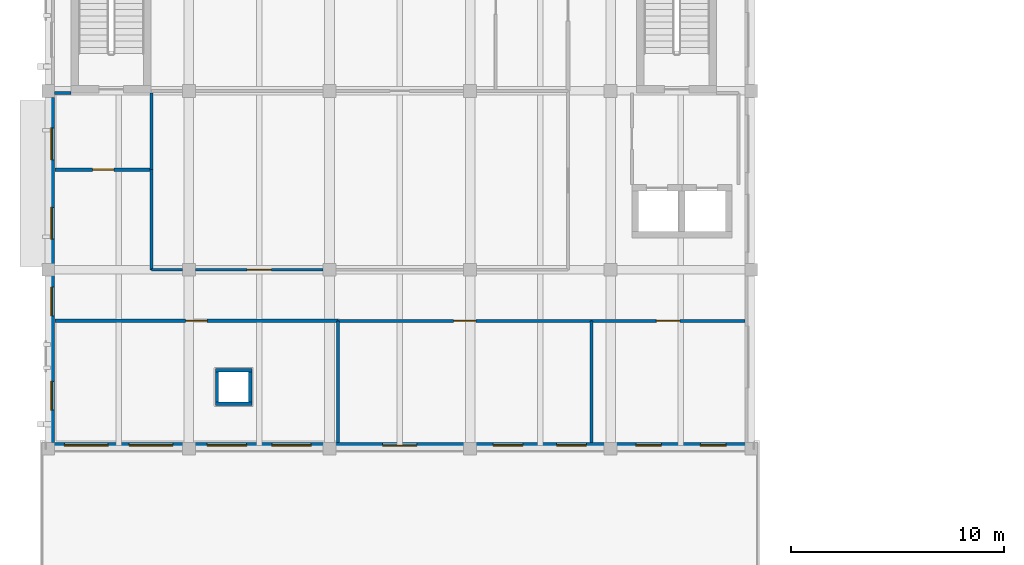
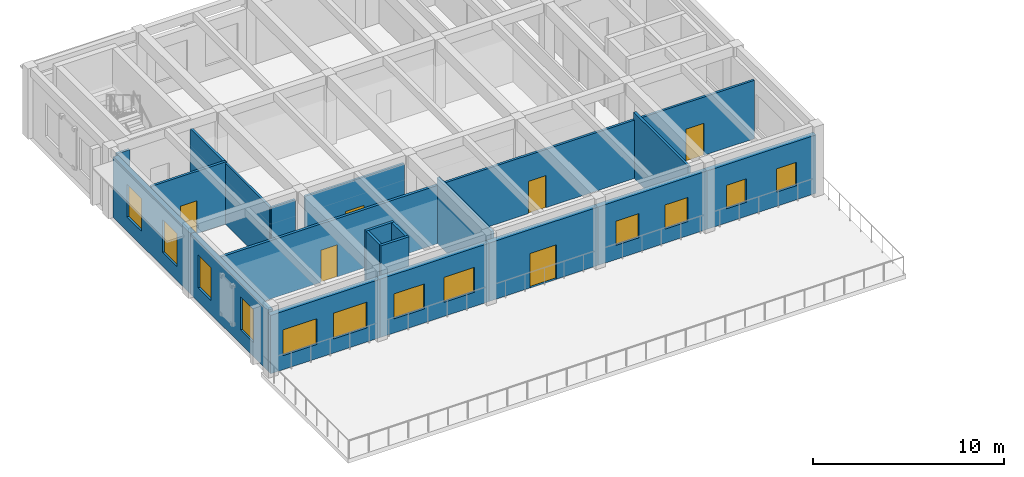
# One storey, part 6 of 25: 22 walls, 12 windows, 6 doors, 18 openings.
"""IFC4 building model written with IfcOpenShell, lengths in metres."""

from ifc_helpers import new_model, si_unit, direction, frame, frame_2d, origin, place, context, subcontext, project, spatial, rectangle, extrude, material, layer, layer_set, type_object, element, fill, save


model = new_model("IFC4")

# Units and contexts
model_context = context("Model", 3, precision=1e-05, world=origin(), true_north=direction((0.0, 1.0)))
body_context = subcontext(model_context, "Body", "Model", "MODEL_VIEW")
ifc_project = project(units=[si_unit("LENGTHUNIT", "METRE"), si_unit("AREAUNIT", "SQUARE_METRE"), si_unit("VOLUMEUNIT", "CUBIC_METRE"), si_unit("PLANEANGLEUNIT", "RADIAN"), si_unit("MASSUNIT", "GRAM", prefix="KILO")], contexts=[model_context])

# Site, building, storey
site_placement = place(None, origin())
site = spatial("IfcSite", under=ifc_project, at=site_placement, CompositionType="ELEMENT")
building_placement = place(site_placement, origin())
building = spatial("IfcBuilding", under=site, at=building_placement, Name="Kolvaren Faculty of Natural Sciences", CompositionType="ELEMENT")
storey_placement = place(building_placement, frame((0.0, 0.0, 19.5)))
storey = spatial("IfcBuildingStorey", under=building, at=storey_placement, Name="L04", CompositionType="ELEMENT", Elevation=19.5)

# Wall, opening, door
ifc_material_1 = material(Name="Acoustic mineral-wool insulated gypsum partition")
ifc_layer_1 = layer(ifc_material_1, 0.159912109375)
ifc_layer_set_1 = layer_set([ifc_layer_1], Name="Acoustic mineral-wool insulated gypsum partition")
wall_type_1 = type_object("IfcWallType", Name="ClassroomPartitionWall_160", PredefinedType="PARTITIONING", material=ifc_layer_set_1)
wall_1_placement = place(storey_placement, frame((7.10205078125, 23.0, 0.0), z_axis=(0.0, 0.0, 1.0), x_axis=(1.0, 0.0, 0.0)))
wall_1 = element("IfcWall", 1, at=wall_1_placement, inside=storey, type_object=wall_type_1, Name="L04 interior partition PW-160", PredefinedType="PARTITIONING", context=body_context, shape_type="SweptSolid", body=[
    extrude(rectangle(XDim=13.2978515625, YDim=0.159912109375, at=frame_2d((6.64892578125, 0.0))), origin(), (0.0, 0.0, 1.0), 3.735107421875),
])
opening_1_placement = place(wall_1_placement, frame((6.14892578125, 0.0, 0.0)))
opening_1 = element("IfcOpeningElement", 2, at=opening_1_placement, cuts=wall_1, Name="Opening ID-08", PredefinedType="OPENING", context=body_context, shape_type="SweptSolid", body=[
    extrude(rectangle(XDim=1.0, YDim=2.06005859375, at=frame_2d((0.5, 1.030029296875))), frame((0.0, 0.08984375, 0.0), z_axis=(0.0, -1.0, 0.0), x_axis=(1.0, 0.0, 0.0)), (0.0, 0.0, 1.0), 0.179931640625),
])
ifc_material_2 = material(Name="Solid-core hardwood veneer door leaf in steel frame", Category="steel")
door_type_1 = type_object("IfcDoorType", Name="InteriorRoomDoor_1000x2060", OperationType="NOTDEFINED", PredefinedType="DOOR", material=ifc_material_2)
door_1_placement = place(opening_1_placement, origin())
door_1 = element("IfcDoor", 3, at=door_1_placement, inside=storey, type_object=door_type_1, Name="D-L04-0272", OperationType="SINGLE_SWING_LEFT", OverallHeight=2.06005859375, OverallWidth=1.0, PredefinedType="DOOR", context=body_context, shape_type="SweptSolid", body=[
    extrude(rectangle(XDim=1.0, YDim=2.06005859375, at=frame_2d((0.5, 1.030029296875))), frame((0.0, 0.02490234375, 0.0), z_axis=(0.0, -1.0, 0.0), x_axis=(1.0, 0.0, 0.0)), (0.0, 0.0, 1.0), 0.050048828125),
])
fill(opening_1, door_1)

# Wall
wall_2_placement = place(storey_placement, frame((20.39990234375, 23.0, 0.0), z_axis=(0.0, 0.0, 1.0), x_axis=(0.0, -1.0, 0.0)))
element("IfcWall", 4, at=wall_2_placement, inside=storey, type_object=wall_type_1, Name="L04 interior partition PW-160", PredefinedType="PARTITIONING", context=body_context, shape_type="SweptSolid", body=[
    extrude(rectangle(XDim=5.697998046875, YDim=0.159912109375, at=frame_2d((2.84912109375, 0.0))), origin(), (0.0, 0.0, 1.0), 4.195068359375),
])

# Wall, opening, door
ifc_layer_2 = layer(ifc_material_1, 0.139892578125)
ifc_layer_set_2 = layer_set([ifc_layer_2], Name="Acoustic mineral-wool insulated gypsum partition")
wall_type_2 = type_object("IfcWallType", Name="CommonsPartitionWall_140", PredefinedType="PARTITIONING", material=ifc_layer_set_2)
wall_3_placement = place(storey_placement, frame((32.300048828125, 23.0, 0.0), z_axis=(0.0, 0.0, 1.0), x_axis=(1.0, 0.0, 0.0)))
wall_3 = element("IfcWall", 5, at=wall_3_placement, inside=storey, type_object=wall_type_2, Name="L04 interior partition PW-140", PredefinedType="PARTITIONING", context=body_context, shape_type="SweptSolid", body=[
    extrude(rectangle(XDim=7.197998046875, YDim=0.139892578125, at=frame_2d((3.59912109375, 0.0))), origin(), (0.0, 0.0, 1.0), 3.735107421875),
])
opening_2_placement = place(wall_3_placement, frame((3.049072265625, 0.0, 0.0)))
opening_2 = element("IfcOpeningElement", 6, at=opening_2_placement, cuts=wall_3, Name="Opening ID-10", PredefinedType="OPENING", context=body_context, shape_type="SweptSolid", body=[
    extrude(rectangle(XDim=1.10009765625, YDim=2.06005859375, at=frame_2d((0.550048828125, 1.030029296875))), frame((0.0, 0.079833984375, 0.0), z_axis=(0.0, -1.0, 0.0), x_axis=(1.0, 0.0, 0.0)), (0.0, 0.0, 1.0), 0.159912109375),
])
door_type_2 = type_object("IfcDoorType", Name="InteriorRoomDoor_1100x2060", OperationType="NOTDEFINED", PredefinedType="DOOR", material=ifc_material_2)
door_2_placement = place(opening_2_placement, origin())
door_2 = element("IfcDoor", 7, at=door_2_placement, inside=storey, type_object=door_type_2, Name="D-L04-0274", OperationType="SINGLE_SWING_LEFT", OverallHeight=2.06005859375, OverallWidth=1.10009765625, PredefinedType="DOOR", context=body_context, shape_type="SweptSolid", body=[
    extrude(rectangle(XDim=1.10009765625, YDim=2.06005859375, at=frame_2d((0.550048828125, 1.030029296875))), frame((0.0, 0.02490234375, 0.0), z_axis=(0.0, -1.0, 0.0), x_axis=(1.0, 0.0, 0.0)), (0.0, 0.0, 1.0), 0.050048828125),
])
fill(opening_2, door_2)

# Wall
ifc_layer_3 = layer(ifc_material_1, 0.14501953125)
ifc_layer_set_3 = layer_set([ifc_layer_3], Name="Acoustic mineral-wool insulated gypsum partition")
wall_type_3 = type_object("IfcWallType", Name="CommonsPartitionWall_145", PredefinedType="PARTITIONING", material=ifc_layer_set_3)
wall_4_placement = place(storey_placement, frame((32.300048828125, 23.0, 0.0), z_axis=(0.0, 0.0, 1.0), x_axis=(0.0, -1.0, 0.0)))
element("IfcWall", 8, at=wall_4_placement, inside=storey, type_object=wall_type_3, Name="L04 interior partition PW-145", PredefinedType="PARTITIONING", context=body_context, shape_type="SweptSolid", body=[
    extrude(rectangle(XDim=5.697998046875, YDim=0.14501953125, at=frame_2d((2.84912109375, 0.0))), origin(), (0.0, 0.0, 1.0), 4.195068359375),
])

# Wall, opening, door
wall_5_placement = place(storey_placement, frame((20.39990234375, 23.0, 0.0), z_axis=(0.0, 0.0, 1.0), x_axis=(1.0, 0.0, 0.0)))
wall_5 = element("IfcWall", 9, at=wall_5_placement, inside=storey, type_object=wall_type_3, Name="L04 interior partition PW-145", PredefinedType="PARTITIONING", context=body_context, shape_type="SweptSolid", body=[
    extrude(rectangle(XDim=11.900146484375, YDim=0.14501953125, at=frame_2d((5.9501953125, 0.0))), origin(), (0.0, 0.0, 1.0), 3.735107421875),
])
opening_3_placement = place(wall_5_placement, frame((5.425048828125, 0.0, 0.0)))
opening_3 = element("IfcOpeningElement", 10, at=opening_3_placement, cuts=wall_5, Name="Opening ID-09", PredefinedType="OPENING", context=body_context, shape_type="SweptSolid", body=[
    extrude(rectangle(XDim=1.050048828125, YDim=2.06005859375, at=frame_2d((0.52490234375, 1.030029296875))), frame((0.0, 0.08251953125, 0.0), z_axis=(0.0, -1.0, 0.0), x_axis=(1.0, 0.0, 0.0)), (0.0, 0.0, 1.0), 0.1650390625),
])
door_type_3 = type_object("IfcDoorType", Name="InteriorRoomDoor_1050x2060", OperationType="NOTDEFINED", PredefinedType="DOOR", material=ifc_material_2)
door_3_placement = place(opening_3_placement, origin())
door_3 = element("IfcDoor", 11, at=door_3_placement, inside=storey, type_object=door_type_3, Name="D-L04-0273", OperationType="SINGLE_SWING_RIGHT", OverallHeight=2.06005859375, OverallWidth=1.050048828125, PredefinedType="DOOR", context=body_context, shape_type="SweptSolid", body=[
    extrude(rectangle(XDim=1.050048828125, YDim=2.06005859375, at=frame_2d((0.52490234375, 1.030029296875))), frame((0.0, 0.02490234375, 0.0), z_axis=(0.0, -1.0, 0.0), x_axis=(1.0, 0.0, 0.0)), (0.0, 0.0, 1.0), 0.050048828125),
])
fill(opening_3, door_3)

# Wall, openings, windows
ifc_material_3 = material(Name="Sandstone-faced insulated cavity masonry", Category="masonry")
ifc_layer_4 = layer(ifc_material_3, 0.300048828125)
ifc_layer_set_4 = layer_set([ifc_layer_4], Name="Sandstone-faced insulated cavity masonry")
wall_type_4 = type_object("IfcWallType", Name="ExteriorCavityWall_300", PredefinedType="STANDARD", material=ifc_layer_set_4)
wall_6_placement = place(storey_placement, frame((6.949951171875, 17.300048828125, 0.0), z_axis=(0.0, 0.0, 1.0), x_axis=(0.0, 1.0, 0.0)))
wall_6 = element("IfcWall", 12, at=wall_6_placement, inside=storey, type_object=wall_type_4, Name="L04 exterior masonry wall EW-300 (580)", PredefinedType="STANDARD", context=body_context, shape_type="SweptSolid", body=[
    extrude(rectangle(XDim=8.099853515625, YDim=0.300048828125, at=frame_2d((4.0498046875, 0.0))), origin(), (0.0, 0.0, 1.0), 3.885009765625),
])
opening_4_placement = place(wall_6_placement, frame((1.511962890625, 0.0, 0.89990234375)))
opening_4 = element("IfcOpeningElement", 13, at=opening_4_placement, cuts=wall_6, Name="Opening WIN-02", PredefinedType="OPENING", context=body_context, shape_type="SweptSolid", body=[
    extrude(rectangle(XDim=1.35009765625, YDim=2.10009765625, at=frame_2d((0.675048828125, 1.050048828125))), frame((0.0, 0.159912109375, 0.0), z_axis=(0.0, -1.0, 0.0), x_axis=(1.0, 0.0, 0.0)), (0.0, 0.0, 1.0), 0.320068359375),
])
opening_5_placement = place(wall_6_placement, frame((5.93994140625, 0.0, 0.89990234375)))
opening_5 = element("IfcOpeningElement", 14, at=opening_5_placement, cuts=wall_6, Name="Opening WIN-02", PredefinedType="OPENING", context=body_context, shape_type="SweptSolid", body=[
    extrude(rectangle(XDim=1.35009765625, YDim=2.10009765625, at=frame_2d((0.675048828125, 1.050048828125))), frame((0.0, 0.159912109375, 0.0), z_axis=(0.0, -1.0, 0.0), x_axis=(1.0, 0.0, 0.0)), (0.0, 0.0, 1.0), 0.320068359375),
])
ifc_material_4 = material(Name="Double low-E solar control insulated glazing", Category="glass")
window_type_1 = type_object("IfcWindowType", Name="AluWindow_WIN02_1350x2100", PartitioningType="SINGLE_PANEL", PredefinedType="WINDOW", material=ifc_material_4)
window_1_placement = place(opening_4_placement, origin())
window_1 = element("IfcWindow", 15, at=window_1_placement, inside=storey, type_object=window_type_1, Name="WIN-L04-0354", OverallHeight=2.10009765625, OverallWidth=1.35009765625, PartitioningType="SINGLE_PANEL", PredefinedType="WINDOW", context=body_context, shape_type="SweptSolid", body=[
    extrude(rectangle(XDim=1.35009765625, YDim=2.10009765625, at=frame_2d((0.675048828125, 1.050048828125))), frame((0.0, 0.030029296875, 0.0), z_axis=(0.0, -1.0, 0.0), x_axis=(1.0, 0.0, 0.0)), (0.0, 0.0, 1.0), 0.06005859375),
])
fill(opening_4, window_1)
window_2_placement = place(opening_5_placement, origin())
window_2 = element("IfcWindow", 16, at=window_2_placement, inside=storey, type_object=window_type_1, Name="WIN-L04-0355", OverallHeight=2.10009765625, OverallWidth=1.35009765625, PartitioningType="SINGLE_PANEL", PredefinedType="WINDOW", context=body_context, shape_type="SweptSolid", body=[
    extrude(rectangle(XDim=1.35009765625, YDim=2.10009765625, at=frame_2d((0.675048828125, 1.050048828125))), frame((0.0, 0.030029296875, 0.0), z_axis=(0.0, -1.0, 0.0), x_axis=(1.0, 0.0, 0.0)), (0.0, 0.0, 1.0), 0.06005859375),
])
fill(opening_5, window_2)

wall_7_placement = place(storey_placement, frame((6.949951171875, 25.39990234375, 0.0), z_axis=(0.0, 0.0, 1.0), x_axis=(0.0, 1.0, 0.0)))
wall_7 = element("IfcWall", 17, at=wall_7_placement, inside=storey, type_object=wall_type_4, Name="L04 exterior masonry wall EW-300 (581)", PredefinedType="STANDARD", context=body_context, shape_type="SweptSolid", body=[
    extrude(rectangle(XDim=8.10009765625, YDim=0.300048828125, at=frame_2d((4.050048828125, 0.0))), origin(), (0.0, 0.0, 1.0), 3.885009765625),
])
opening_6_placement = place(wall_7_placement, frame((1.43701171875, 0.0, 0.89990234375)))
opening_6 = element("IfcOpeningElement", 18, at=opening_6_placement, cuts=wall_7, Name="Opening WIN-03", PredefinedType="OPENING", context=body_context, shape_type="SweptSolid", body=[
    extrude(rectangle(XDim=1.5, YDim=2.10009765625, at=frame_2d((0.75, 1.050048828125))), frame((0.0, 0.159912109375, 0.0), z_axis=(0.0, -1.0, 0.0), x_axis=(1.0, 0.0, 0.0)), (0.0, 0.0, 1.0), 0.320068359375),
])
opening_7_placement = place(wall_7_placement, frame((5.1630859375, 0.0, 0.89990234375)))
opening_7 = element("IfcOpeningElement", 19, at=opening_7_placement, cuts=wall_7, Name="Opening WIN-03", PredefinedType="OPENING", context=body_context, shape_type="SweptSolid", body=[
    extrude(rectangle(XDim=1.5, YDim=2.10009765625, at=frame_2d((0.75, 1.050048828125))), frame((0.0, 0.159912109375, 0.0), z_axis=(0.0, -1.0, 0.0), x_axis=(1.0, 0.0, 0.0)), (0.0, 0.0, 1.0), 0.320068359375),
])
window_type_2 = type_object("IfcWindowType", Name="AluWindow_WIN03_1500x2100", PartitioningType="SINGLE_PANEL", PredefinedType="WINDOW", material=ifc_material_4)
window_3_placement = place(opening_6_placement, origin())
window_3 = element("IfcWindow", 20, at=window_3_placement, inside=storey, type_object=window_type_2, Name="WIN-L04-0356", OverallHeight=2.10009765625, OverallWidth=1.5, PartitioningType="SINGLE_PANEL", PredefinedType="WINDOW", context=body_context, shape_type="SweptSolid", body=[
    extrude(rectangle(XDim=1.5, YDim=2.10009765625, at=frame_2d((0.75, 1.050048828125))), frame((0.0, 0.030029296875, 0.0), z_axis=(0.0, -1.0, 0.0), x_axis=(1.0, 0.0, 0.0)), (0.0, 0.0, 1.0), 0.06005859375),
])
fill(opening_6, window_3)
window_4_placement = place(opening_7_placement, origin())
window_4 = element("IfcWindow", 21, at=window_4_placement, inside=storey, type_object=window_type_2, Name="WIN-L04-0357", OverallHeight=2.10009765625, OverallWidth=1.5, PartitioningType="SINGLE_PANEL", PredefinedType="WINDOW", context=body_context, shape_type="SweptSolid", body=[
    extrude(rectangle(XDim=1.5, YDim=2.10009765625, at=frame_2d((0.75, 1.050048828125))), frame((0.0, 0.030029296875, 0.0), z_axis=(0.0, -1.0, 0.0), x_axis=(1.0, 0.0, 0.0)), (0.0, 0.0, 1.0), 0.06005859375),
])
fill(opening_7, window_4)

wall_8_placement = place(storey_placement, frame((39.800048828125, 17.14990234375, 0.0), z_axis=(0.0, 0.0, 1.0), x_axis=(-1.0, 0.0, 0.0)))
wall_8 = element("IfcWall", 22, at=wall_8_placement, inside=storey, type_object=wall_type_4, Name="L04 exterior masonry wall EW-300 (591)", PredefinedType="STANDARD", context=body_context, shape_type="SweptSolid", body=[
    extrude(rectangle(XDim=6.60009765625, YDim=0.300048828125, at=frame_2d((3.300048828125, 0.0))), origin(), (0.0, 0.0, 1.0), 3.735107421875),
])
opening_8_placement = place(wall_8_placement, frame((1.181884765625, 0.0, 0.89990234375)))
opening_8 = element("IfcOpeningElement", 23, at=opening_8_placement, cuts=wall_8, Name="Opening WIN-13", PredefinedType="OPENING", context=body_context, shape_type="SweptSolid", body=[
    extrude(rectangle(XDim=1.199951171875, YDim=1.5, at=frame_2d((0.60009765625, 0.75))), frame((0.0, 0.159912109375, 0.0), z_axis=(0.0, -1.0, 0.0), x_axis=(1.0, 0.0, 0.0)), (0.0, 0.0, 1.0), 0.320068359375),
])
opening_9_placement = place(wall_8_placement, frame((4.218017578125, 0.0, 0.89990234375)))
opening_9 = element("IfcOpeningElement", 24, at=opening_9_placement, cuts=wall_8, Name="Opening WIN-13", PredefinedType="OPENING", context=body_context, shape_type="SweptSolid", body=[
    extrude(rectangle(XDim=1.199951171875, YDim=1.5, at=frame_2d((0.60009765625, 0.75))), frame((0.0, 0.159912109375, 0.0), z_axis=(0.0, -1.0, 0.0), x_axis=(1.0, 0.0, 0.0)), (0.0, 0.0, 1.0), 0.320068359375),
])
window_type_3 = type_object("IfcWindowType", Name="AluWindow_WIN13_1200x1500", PartitioningType="SINGLE_PANEL", PredefinedType="WINDOW", material=ifc_material_4)
window_5_placement = place(opening_8_placement, origin())
window_5 = element("IfcWindow", 25, at=window_5_placement, inside=storey, type_object=window_type_3, Name="WIN-L04-0371", OverallHeight=1.5, OverallWidth=1.199951171875, PartitioningType="SINGLE_PANEL", PredefinedType="WINDOW", context=body_context, shape_type="SweptSolid", body=[
    extrude(rectangle(XDim=1.199951171875, YDim=1.5, at=frame_2d((0.60009765625, 0.75))), frame((0.0, 0.030029296875, 0.0), z_axis=(0.0, -1.0, 0.0), x_axis=(1.0, 0.0, 0.0)), (0.0, 0.0, 1.0), 0.06005859375),
])
fill(opening_8, window_5)
window_6_placement = place(opening_9_placement, origin())
window_6 = element("IfcWindow", 26, at=window_6_placement, inside=storey, type_object=window_type_3, Name="WIN-L04-0372", OverallHeight=1.5, OverallWidth=1.199951171875, PartitioningType="SINGLE_PANEL", PredefinedType="WINDOW", context=body_context, shape_type="SweptSolid", body=[
    extrude(rectangle(XDim=1.199951171875, YDim=1.5, at=frame_2d((0.60009765625, 0.75))), frame((0.0, 0.030029296875, 0.0), z_axis=(0.0, -1.0, 0.0), x_axis=(1.0, 0.0, 0.0)), (0.0, 0.0, 1.0), 0.06005859375),
])
fill(opening_9, window_6)

wall_9_placement = place(storey_placement, frame((33.199951171875, 17.14990234375, 0.0), z_axis=(0.0, 0.0, 1.0), x_axis=(-1.0, 0.0, 0.0)))
wall_9 = element("IfcWall", 27, at=wall_9_placement, inside=storey, type_object=wall_type_4, Name="L04 exterior masonry wall EW-300 (592)", PredefinedType="STANDARD", context=body_context, shape_type="SweptSolid", body=[
    extrude(rectangle(XDim=6.599853515625, YDim=0.300048828125, at=frame_2d((3.2998046875, 0.0))), origin(), (0.0, 0.0, 1.0), 3.735107421875),
])
opening_10_placement = place(wall_9_placement, frame((1.139892578125, 0.0, 0.89990234375)))
opening_10 = element("IfcOpeningElement", 28, at=opening_10_placement, cuts=wall_9, Name="Opening WIN-14", PredefinedType="OPENING", context=body_context, shape_type="SweptSolid", body=[
    extrude(rectangle(XDim=1.39990234375, YDim=1.550048828125, at=frame_2d((0.699951171875, 0.77490234375))), frame((0.0, 0.159912109375, 0.0), z_axis=(0.0, -1.0, 0.0), x_axis=(1.0, 0.0, 0.0)), (0.0, 0.0, 1.0), 0.320068359375),
])
opening_11_placement = place(wall_9_placement, frame((4.117919921875, 0.0, 0.89990234375)))
opening_11 = element("IfcOpeningElement", 29, at=opening_11_placement, cuts=wall_9, Name="Opening WIN-14", PredefinedType="OPENING", context=body_context, shape_type="SweptSolid", body=[
    extrude(rectangle(XDim=1.39990234375, YDim=1.550048828125, at=frame_2d((0.699951171875, 0.77490234375))), frame((0.0, 0.159912109375, 0.0), z_axis=(0.0, -1.0, 0.0), x_axis=(1.0, 0.0, 0.0)), (0.0, 0.0, 1.0), 0.320068359375),
])
window_type_4 = type_object("IfcWindowType", Name="AluWindow_WIN14_1400x1550", PartitioningType="SINGLE_PANEL", PredefinedType="WINDOW", material=ifc_material_4)
window_7_placement = place(opening_10_placement, origin())
window_7 = element("IfcWindow", 30, at=window_7_placement, inside=storey, type_object=window_type_4, Name="WIN-L04-0373", OverallHeight=1.550048828125, OverallWidth=1.39990234375, PartitioningType="SINGLE_PANEL", PredefinedType="WINDOW", context=body_context, shape_type="SweptSolid", body=[
    extrude(rectangle(XDim=1.39990234375, YDim=1.550048828125, at=frame_2d((0.699951171875, 0.77490234375))), frame((0.0, 0.030029296875, 0.0), z_axis=(0.0, -1.0, 0.0), x_axis=(1.0, 0.0, 0.0)), (0.0, 0.0, 1.0), 0.06005859375),
])
fill(opening_10, window_7)
window_8_placement = place(opening_11_placement, origin())
window_8 = element("IfcWindow", 31, at=window_8_placement, inside=storey, type_object=window_type_4, Name="WIN-L04-0374", OverallHeight=1.550048828125, OverallWidth=1.39990234375, PartitioningType="SINGLE_PANEL", PredefinedType="WINDOW", context=body_context, shape_type="SweptSolid", body=[
    extrude(rectangle(XDim=1.39990234375, YDim=1.550048828125, at=frame_2d((0.699951171875, 0.77490234375))), frame((0.0, 0.030029296875, 0.0), z_axis=(0.0, -1.0, 0.0), x_axis=(1.0, 0.0, 0.0)), (0.0, 0.0, 1.0), 0.06005859375),
])
fill(opening_11, window_8)

# Wall, opening, door
wall_10_placement = place(storey_placement, frame((26.60009765625, 17.14990234375, 0.0), z_axis=(0.0, 0.0, 1.0), x_axis=(-1.0, 0.0, 0.0)))
wall_10 = element("IfcWall", 32, at=wall_10_placement, inside=storey, type_object=wall_type_4, Name="L04 exterior masonry wall EW-300 (593)", PredefinedType="STANDARD", context=body_context, shape_type="SweptSolid", body=[
    extrude(rectangle(XDim=6.60009765625, YDim=0.300048828125, at=frame_2d((3.300048828125, 0.0))), origin(), (0.0, 0.0, 1.0), 3.735107421875),
])
opening_12_placement = place(wall_10_placement, frame((2.5, 0.0, 0.0)))
opening_12 = element("IfcOpeningElement", 33, at=opening_12_placement, cuts=wall_10, Name="Opening TD-02", PredefinedType="OPENING", context=body_context, shape_type="SweptSolid", body=[
    extrude(rectangle(XDim=1.60009765625, YDim=2.199951171875, at=frame_2d((0.800048828125, 1.10009765625))), frame((0.0, 0.159912109375, 0.0), z_axis=(0.0, -1.0, 0.0), x_axis=(1.0, 0.0, 0.0)), (0.0, 0.0, 1.0), 0.320068359375),
])
ifc_material_5 = material(Name="Thermally broken anodised aluminium framing", Category="aluminium")
door_type_4 = type_object("IfcDoorType", Name="TerraceDoubleDoor_1600x2200", OperationType="DOUBLE_DOOR_SINGLE_SWING", PredefinedType="DOOR", material=ifc_material_5)
door_4_placement = place(opening_12_placement, origin())
door_4 = element("IfcDoor", 34, at=door_4_placement, inside=storey, type_object=door_type_4, Name="D-L04-TR-26", OperationType="DOUBLE_DOOR_SINGLE_SWING", OverallHeight=2.199951171875, OverallWidth=1.60009765625, PredefinedType="DOOR", context=body_context, shape_type="SweptSolid", body=[
    extrude(rectangle(XDim=1.60009765625, YDim=2.199951171875, at=frame_2d((0.800048828125, 1.10009765625))), frame((0.0, 0.02490234375, 0.0), z_axis=(0.0, -1.0, 0.0), x_axis=(1.0, 0.0, 0.0)), (0.0, 0.0, 1.0), 0.050048828125),
])
fill(opening_12, door_4)

# Wall, openings, windows
wall_11_placement = place(storey_placement, frame((20.0, 17.14990234375, 0.0), z_axis=(0.0, 0.0, 1.0), x_axis=(-1.0, 0.0, 0.0)))
wall_11 = element("IfcWall", 35, at=wall_11_placement, inside=storey, type_object=wall_type_4, Name="L04 exterior masonry wall EW-300 (594)", PredefinedType="STANDARD", context=body_context, shape_type="SweptSolid", body=[
    extrude(rectangle(XDim=6.60009765625, YDim=0.300048828125, at=frame_2d((3.300048828125, 0.0))), origin(), (0.0, 0.0, 1.0), 3.735107421875),
])
opening_13_placement = place(wall_11_placement, frame((0.85693359375, 0.0, 0.89990234375)))
opening_13 = element("IfcOpeningElement", 36, at=opening_13_placement, cuts=wall_11, Name="Opening WIN-16", PredefinedType="OPENING", context=body_context, shape_type="SweptSolid", body=[
    extrude(rectangle(XDim=1.85009765625, YDim=1.60009765625, at=frame_2d((0.925048828125, 0.800048828125))), frame((0.0, 0.159912109375, 0.0), z_axis=(0.0, -1.0, 0.0), x_axis=(1.0, 0.0, 0.0)), (0.0, 0.0, 1.0), 0.320068359375),
])
opening_14_placement = place(wall_11_placement, frame((3.89306640625, 0.0, 0.89990234375)))
opening_14 = element("IfcOpeningElement", 37, at=opening_14_placement, cuts=wall_11, Name="Opening WIN-16", PredefinedType="OPENING", context=body_context, shape_type="SweptSolid", body=[
    extrude(rectangle(XDim=1.85009765625, YDim=1.60009765625, at=frame_2d((0.925048828125, 0.800048828125))), frame((0.0, 0.159912109375, 0.0), z_axis=(0.0, -1.0, 0.0), x_axis=(1.0, 0.0, 0.0)), (0.0, 0.0, 1.0), 0.320068359375),
])
window_type_5 = type_object("IfcWindowType", Name="AluWindow_WIN16_1850x1600", PartitioningType="SINGLE_PANEL", PredefinedType="WINDOW", material=ifc_material_4)
window_9_placement = place(opening_13_placement, origin())
window_9 = element("IfcWindow", 38, at=window_9_placement, inside=storey, type_object=window_type_5, Name="WIN-L04-0375", OverallHeight=1.60009765625, OverallWidth=1.85009765625, PartitioningType="SINGLE_PANEL", PredefinedType="WINDOW", context=body_context, shape_type="SweptSolid", body=[
    extrude(rectangle(XDim=1.85009765625, YDim=1.60009765625, at=frame_2d((0.925048828125, 0.800048828125))), frame((0.0, 0.030029296875, 0.0), z_axis=(0.0, -1.0, 0.0), x_axis=(1.0, 0.0, 0.0)), (0.0, 0.0, 1.0), 0.06005859375),
])
fill(opening_13, window_9)
window_10_placement = place(opening_14_placement, origin())
window_10 = element("IfcWindow", 39, at=window_10_placement, inside=storey, type_object=window_type_5, Name="WIN-L04-0376", OverallHeight=1.60009765625, OverallWidth=1.85009765625, PartitioningType="SINGLE_PANEL", PredefinedType="WINDOW", context=body_context, shape_type="SweptSolid", body=[
    extrude(rectangle(XDim=1.85009765625, YDim=1.60009765625, at=frame_2d((0.925048828125, 0.800048828125))), frame((0.0, 0.030029296875, 0.0), z_axis=(0.0, -1.0, 0.0), x_axis=(1.0, 0.0, 0.0)), (0.0, 0.0, 1.0), 0.06005859375),
])
fill(opening_14, window_10)

wall_12_placement = place(storey_placement, frame((13.39990234375, 17.14990234375, 0.0), z_axis=(0.0, 0.0, 1.0), x_axis=(-1.0, 0.0, 0.0)))
wall_12 = element("IfcWall", 40, at=wall_12_placement, inside=storey, type_object=wall_type_4, Name="L04 exterior masonry wall EW-300 (595)", PredefinedType="STANDARD", context=body_context, shape_type="SweptSolid", body=[
    extrude(rectangle(XDim=6.599853515625, YDim=0.300048828125, at=frame_2d((3.2998046875, 0.0))), origin(), (0.0, 0.0, 1.0), 3.735107421875),
])
opening_15_placement = place(wall_12_placement, frame((0.757080078125, 0.0, 0.89990234375)))
opening_15 = element("IfcOpeningElement", 41, at=opening_15_placement, cuts=wall_12, Name="Opening WIN-17", PredefinedType="OPENING", context=body_context, shape_type="SweptSolid", body=[
    extrude(rectangle(XDim=2.050048828125, YDim=1.64990234375, at=frame_2d((1.02490234375, 0.824951171875))), frame((0.0, 0.159912109375, 0.0), z_axis=(0.0, -1.0, 0.0), x_axis=(1.0, 0.0, 0.0)), (0.0, 0.0, 1.0), 0.320068359375),
])
opening_16_placement = place(wall_12_placement, frame((3.79296875, 0.0, 0.89990234375)))
opening_16 = element("IfcOpeningElement", 42, at=opening_16_placement, cuts=wall_12, Name="Opening WIN-17", PredefinedType="OPENING", context=body_context, shape_type="SweptSolid", body=[
    extrude(rectangle(XDim=2.050048828125, YDim=1.64990234375, at=frame_2d((1.02490234375, 0.824951171875))), frame((0.0, 0.159912109375, 0.0), z_axis=(0.0, -1.0, 0.0), x_axis=(1.0, 0.0, 0.0)), (0.0, 0.0, 1.0), 0.320068359375),
])
window_type_6 = type_object("IfcWindowType", Name="AluWindow_WIN17_2050x1650", PartitioningType="SINGLE_PANEL", PredefinedType="WINDOW", material=ifc_material_4)
window_11_placement = place(opening_15_placement, origin())
window_11 = element("IfcWindow", 43, at=window_11_placement, inside=storey, type_object=window_type_6, Name="WIN-L04-0377", OverallHeight=1.64990234375, OverallWidth=2.050048828125, PartitioningType="SINGLE_PANEL", PredefinedType="WINDOW", context=body_context, shape_type="SweptSolid", body=[
    extrude(rectangle(XDim=2.050048828125, YDim=1.64990234375, at=frame_2d((1.02490234375, 0.824951171875))), frame((0.0, 0.030029296875, 0.0), z_axis=(0.0, -1.0, 0.0), x_axis=(1.0, 0.0, 0.0)), (0.0, 0.0, 1.0), 0.06005859375),
])
fill(opening_15, window_11)
window_12_placement = place(opening_16_placement, origin())
window_12 = element("IfcWindow", 44, at=window_12_placement, inside=storey, type_object=window_type_6, Name="WIN-L04-0378", OverallHeight=1.64990234375, OverallWidth=2.050048828125, PartitioningType="SINGLE_PANEL", PredefinedType="WINDOW", context=body_context, shape_type="SweptSolid", body=[
    extrude(rectangle(XDim=2.050048828125, YDim=1.64990234375, at=frame_2d((1.02490234375, 0.824951171875))), frame((0.0, 0.030029296875, 0.0), z_axis=(0.0, -1.0, 0.0), x_axis=(1.0, 0.0, 0.0)), (0.0, 0.0, 1.0), 0.06005859375),
])
fill(opening_16, window_12)

# Wall, opening, door
ifc_layer_5 = layer(ifc_material_1, 0.1298828125)
ifc_layer_set_5 = layer_set([ifc_layer_5], Name="Acoustic mineral-wool insulated gypsum partition")
wall_type_5 = type_object("IfcWallType", Name="OfficePartitionWall_130", PredefinedType="PARTITIONING", material=ifc_layer_set_5)
wall_13_placement = place(storey_placement, frame((19.699951171875, 25.39990234375, 0.0), z_axis=(0.0, 0.0, 1.0), x_axis=(-1.0, 0.0, 0.0)))
wall_13 = element("IfcWall", 45, at=wall_13_placement, inside=storey, type_object=wall_type_5, Name="L04 interior partition PW-130", PredefinedType="PARTITIONING", context=body_context, shape_type="SweptSolid", body=[
    extrude(rectangle(XDim=6.0, YDim=0.1298828125, at=frame_2d((3.0, 0.0))), origin(), (0.0, 0.0, 1.0), 3.885009765625),
])
opening_17_placement = place(wall_13_placement, frame((2.429931640625, 0.0, 0.0)))
opening_17 = element("IfcOpeningElement", 46, at=opening_17_placement, cuts=wall_13, Name="Opening ID-11", PredefinedType="OPENING", context=body_context, shape_type="SweptSolid", body=[
    extrude(rectangle(XDim=1.139892578125, YDim=2.06005859375, at=frame_2d((0.56982421875, 1.030029296875))), frame((0.0, 0.074951171875, 0.0), z_axis=(0.0, -1.0, 0.0), x_axis=(1.0, 0.0, 0.0)), (0.0, 0.0, 1.0), 0.14990234375),
])
door_type_5 = type_object("IfcDoorType", Name="InteriorRoomDoor_1140x2060", OperationType="NOTDEFINED", PredefinedType="DOOR", material=ifc_material_2)
door_5_placement = place(opening_17_placement, origin())
door_5 = element("IfcDoor", 47, at=door_5_placement, inside=storey, type_object=door_type_5, Name="D-L04-0276", OperationType="SINGLE_SWING_LEFT", OverallHeight=2.06005859375, OverallWidth=1.139892578125, PredefinedType="DOOR", context=body_context, shape_type="SweptSolid", body=[
    extrude(rectangle(XDim=1.139892578125, YDim=2.06005859375, at=frame_2d((0.56982421875, 1.030029296875))), frame((0.0, 0.02490234375, 0.0), z_axis=(0.0, -1.0, 0.0), x_axis=(1.0, 0.0, 0.0)), (0.0, 0.0, 1.0), 0.050048828125),
])
fill(opening_17, door_5)

# Walls
wall_14_placement = place(storey_placement, frame((13.10009765625, 25.39990234375, 0.0), z_axis=(0.0, 0.0, 1.0), x_axis=(-1.0, 0.0, 0.0)))
element("IfcWall", 48, at=wall_14_placement, inside=storey, type_object=wall_type_5, Name="L04 interior partition PW-130", PredefinedType="PARTITIONING", context=body_context, shape_type="SweptSolid", body=[
    extrude(rectangle(XDim=1.4501953125, YDim=0.1298828125, at=frame_2d((0.72509765625, 0.0))), origin(), (0.0, 0.0, 1.0), 3.885009765625),
])
wall_15_placement = place(storey_placement, frame((11.64990234375, 25.39990234375, 0.0), z_axis=(0.0, 0.0, 1.0), x_axis=(0.0, 1.0, 0.0)))
element("IfcWall", 49, at=wall_15_placement, inside=storey, type_object=wall_type_5, Name="L04 interior partition PW-130", PredefinedType="PARTITIONING", context=body_context, shape_type="SweptSolid", body=[
    extrude(rectangle(XDim=4.7001953125, YDim=0.1298828125, at=frame_2d((2.35009765625, 0.0))), origin(), (0.0, 0.0, 1.0), 3.885009765625),
])

# Wall, opening, door
ifc_material_6 = material(Name="Double fire-rated gypsum board on 100 mm steel stud", Category="steel")
ifc_layer_6 = layer(ifc_material_6, 0.14990234375)
ifc_layer_set_6 = layer_set([ifc_layer_6], Name="Double fire-rated gypsum board on 100 mm steel stud")
wall_type_6 = type_object("IfcWallType", Name="RatedCorridorWall_150", PredefinedType="PARTITIONING", material=ifc_layer_set_6)
wall_16_placement = place(storey_placement, frame((11.64990234375, 30.10009765625, 0.0), z_axis=(0.0, 0.0, 1.0), x_axis=(-1.0, 0.0, 0.0)))
wall_16 = element("IfcWall", 50, at=wall_16_placement, inside=storey, type_object=wall_type_6, Name="L04 interior partition LW-150", PredefinedType="PARTITIONING", context=body_context, shape_type="SweptSolid", body=[
    extrude(rectangle(XDim=4.5478515625, YDim=0.14990234375, at=frame_2d((2.27392578125, 0.0))), origin(), (0.0, 0.0, 1.0), 3.985107421875),
])
opening_18_placement = place(wall_16_placement, frame((1.77392578125, 0.0, 0.0)))
opening_18 = element("IfcOpeningElement", 51, at=opening_18_placement, cuts=wall_16, Name="Opening FD30", PredefinedType="OPENING", context=body_context, shape_type="SweptSolid", body=[
    extrude(rectangle(XDim=1.0, YDim=2.10009765625, at=frame_2d((0.5, 1.050048828125))), frame((0.0, 0.0849609375, 0.0), z_axis=(0.0, -1.0, 0.0), x_axis=(1.0, 0.0, 0.0)), (0.0, 0.0, 1.0), 0.169921875),
])
ifc_material_7 = material(Name="Fire-rated solid-core hardwood door leaf in steel frame", Category="steel")
door_type_6 = type_object("IfcDoorType", Name="CorridorFireDoor_1000x2100", OperationType="NOTDEFINED", PredefinedType="DOOR", material=ifc_material_7)
door_6_placement = place(opening_18_placement, origin())
door_6 = element("IfcDoor", 52, at=door_6_placement, inside=storey, type_object=door_type_6, Name="D-L04-0268", OperationType="SINGLE_SWING_LEFT", OverallHeight=2.10009765625, OverallWidth=1.0, PredefinedType="DOOR", context=body_context, shape_type="SweptSolid", body=[
    extrude(rectangle(XDim=1.0, YDim=2.10009765625, at=frame_2d((0.5, 1.050048828125))), frame((0.0, 0.02490234375, 0.0), z_axis=(0.0, -1.0, 0.0), x_axis=(1.0, 0.0, 0.0)), (0.0, 0.0, 1.0), 0.050048828125),
])
fill(opening_18, door_6)

# Walls
wall_17_placement = place(storey_placement, frame((7.10009765625, 33.699951171875, 0.0), z_axis=(0.0, 0.0, 1.0), x_axis=(1.0, 0.0, 0.0)))
element("IfcWall", 53, at=wall_17_placement, inside=storey, type_object=wall_type_6, Name="L04 interior partition LW-150", PredefinedType="PARTITIONING", context=body_context, shape_type="SweptSolid", body=[
    extrude(rectangle(XDim=0.77490234375, YDim=0.14990234375, at=frame_2d((0.387451171875, 0.0))), origin(), (0.0, 0.0, 1.0), 3.885009765625),
])
wall_18_placement = place(storey_placement, frame((11.64990234375, 33.699951171875, 0.0), z_axis=(0.0, 0.0, 1.0), x_axis=(0.0, -1.0, 0.0)))
element("IfcWall", 54, at=wall_18_placement, inside=storey, type_object=wall_type_6, Name="L04 interior partition LW-150", PredefinedType="PARTITIONING", context=body_context, shape_type="SweptSolid", body=[
    extrude(rectangle(XDim=3.599853515625, YDim=0.14990234375, at=frame_2d((1.7998046875, 0.0))), origin(), (0.0, 0.0, 1.0), 3.885009765625),
])
ifc_layer_7 = layer(ifc_material_6, 0.159912109375)
ifc_layer_set_7 = layer_set([ifc_layer_7], Name="Double fire-rated gypsum board on 100 mm steel stud")
wall_type_7 = type_object("IfcWallType", Name="RiserShaftWall_160", PredefinedType="PARTITIONING", material=ifc_layer_set_7)
for number, where, z_axis, x_axis, name in (
    (55, (14.639892578125, 19.1201171875, 0.0), (0.0, 0.0, 1.0), (1.0, 0.0, 0.0), "L04 service riser shaft wall S"),
    (56, (14.639892578125, 20.679931640625, 0.0), (0.0, 0.0, 1.0), (1.0, 0.0, 0.0), "L04 service riser shaft wall N"),
):
    element("IfcWall", number, at=place(storey_placement, frame(where, z_axis=z_axis, x_axis=x_axis)), inside=storey, type_object=wall_type_7, Name=name, PredefinedType="PARTITIONING", context=body_context, shape_type="SweptSolid", body=[
        extrude(rectangle(XDim=1.72021484375, YDim=0.159912109375, at=frame_2d((0.860107421875, 0.0))), origin(), (0.0, 0.0, 1.0), 4.195068359375),
    ])
for number, where, z_axis, x_axis, name in (
    (57, (14.719970703125, 19.199951171875, 0.0), (0.0, 0.0, 1.0), (0.0, 1.0, 0.0), "L04 service riser shaft wall W"),
    (58, (16.280029296875, 19.199951171875, 0.0), (0.0, 0.0, 1.0), (0.0, 1.0, 0.0), "L04 service riser shaft wall E"),
):
    element("IfcWall", number, at=place(storey_placement, frame(where, z_axis=z_axis, x_axis=x_axis)), inside=storey, type_object=wall_type_7, Name=name, PredefinedType="PARTITIONING", context=body_context, shape_type="SweptSolid", body=[
        extrude(rectangle(XDim=1.400146484375, YDim=0.159912109375, at=frame_2d((0.7001953125, 0.0))), origin(), (0.0, 0.0, 1.0), 4.195068359375),
    ])

save(model, "model.ifc")
